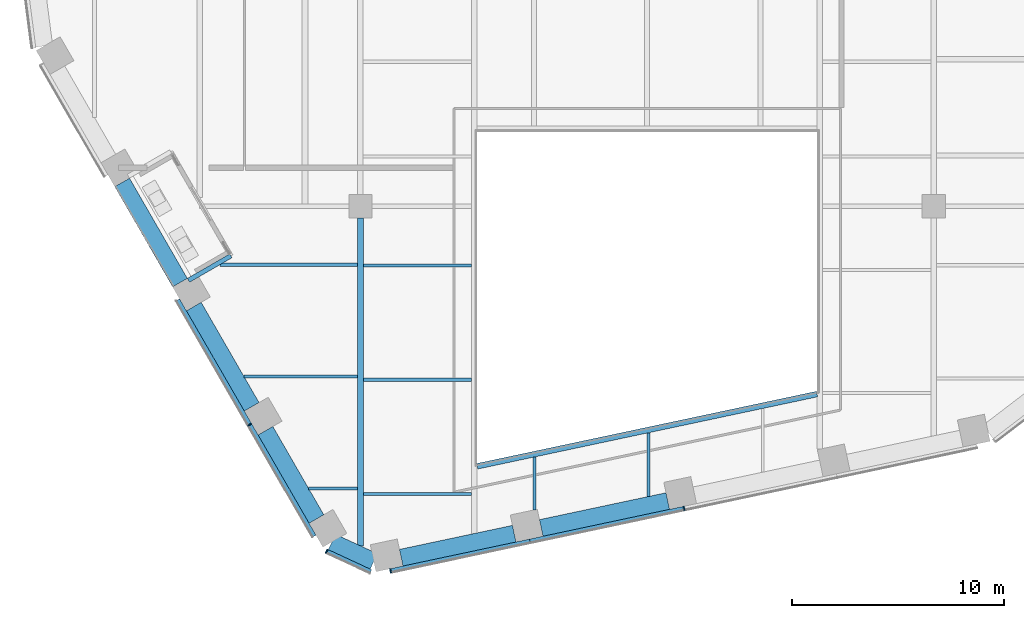
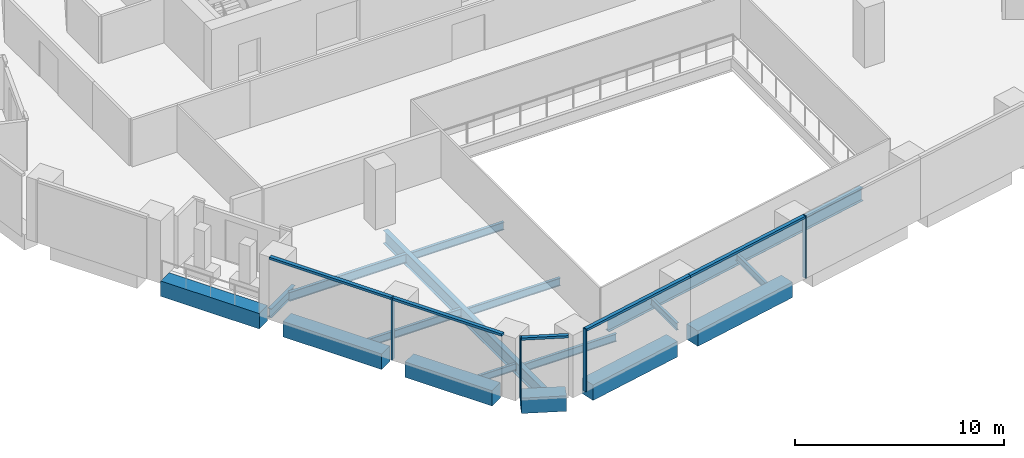
# One storey, part 2 of 25: 17 beams, 9 members, 3 elements without a shape of their own.
"""IFC4 building model written with IfcOpenShell, lengths in metres."""

from ifc_helpers import new_model, si_unit, direction, frame, origin, origin_2d, place, context, subcontext, project, spatial, rectangle, i_section, extrude, material, layer, layer_set, material_profile, profile_set, type_object, element, aggregate, save


model = new_model("IFC4")

# Units and contexts
model_context = context("Model", 3, precision=1e-05, world=origin(), true_north=direction((0.0, 1.0)))
body_context = subcontext(model_context, "Body", "Model", "MODEL_VIEW")
ifc_project = project(units=[si_unit("LENGTHUNIT", "METRE"), si_unit("AREAUNIT", "SQUARE_METRE"), si_unit("VOLUMEUNIT", "CUBIC_METRE"), si_unit("PLANEANGLEUNIT", "RADIAN"), si_unit("MASSUNIT", "GRAM", prefix="KILO")], contexts=[model_context])

# Site, building, storey
site_placement = place(None, origin())
site = spatial("IfcSite", under=ifc_project, at=site_placement, CompositionType="ELEMENT")
building_placement = place(site_placement, origin())
building = spatial("IfcBuilding", under=site, at=building_placement, Name="Isthmus Gate Tower", CompositionType="ELEMENT")
storey_placement = place(building_placement, frame((0.0, 0.0, 174.449951171875)))
storey = spatial("IfcBuildingStorey", under=building, at=storey_placement, Name="L43", CompositionType="ELEMENT", Elevation=174.449951171875)

# Curtain wall, member
ifc_material_1 = material(Name="Aluminium, pale champagne anodised", Category="aluminium")
ifc_layer = layer(ifc_material_1, 0.199951171875)
ifc_layer_set = layer_set([ifc_layer], Name="CW-1 UNITISED CURTAIN WALL 200 DEEP")
curtain_wall_type = type_object("IfcCurtainWallType", Name="CW-1 UNITISED CURTAIN WALL 200 DEEP", PredefinedType="NOTDEFINED", material=ifc_layer_set)
curtain_wall_1_placement = place(storey_placement, origin())
curtain_wall_1 = element("IfcCurtainWall", 1, at=curtain_wall_1_placement, inside=storey, type_object=curtain_wall_type, Name="CW-1 SW L43", PredefinedType="NOTDEFINED")
ifc_material_2 = material(Name="Aluminium, pale champagne anodised", Category="aluminium")
ifc_material_profile_1 = material_profile(ifc_material_2, rectangle(XDim=0.06005859375, YDim=0.199951171875, at=origin_2d()), Name="60x200")
ifc_profile_set_1 = profile_set([ifc_material_profile_1], Name="Aluminium, pale champagne anodised")
member_type_1 = type_object("IfcMemberType", Name="CW-1 MULLION 60 X 200", PredefinedType="MULLION", material=ifc_profile_set_1)
member_1_placement = place(storey_placement, frame((-18.71435546875, -23.78564453125, 0.0), z_axis=(0.0, 0.0, 1.0), x_axis=(0.5, -0.866025403784, 0.0)))
member_1 = element("IfcMember", 2, at=member_1_placement, type_object=member_type_1, Name="CW-1 mullion", PredefinedType="MULLION", context=body_context, shape_type="SweptSolid", body=[
    extrude(rectangle(XDim=0.06005859375, YDim=0.199951171875, at=origin_2d()), origin(), (0.0, 0.0, 1.0), 3.650146484375),
])

curtain_wall_2_placement = place(storey_placement, origin())
curtain_wall_2 = element("IfcCurtainWall", 3, at=curtain_wall_2_placement, inside=storey, type_object=curtain_wall_type, Name="CW-1 SW-S L43", PredefinedType="NOTDEFINED")
member_2_placement = place(storey_placement, frame((-15.091064453125, -29.74755859375, 0.0), z_axis=(0.0, 0.0, 1.0), x_axis=(0.907256261367, -0.420578264073, 0.0)))
member_2 = element("IfcMember", 4, at=member_2_placement, type_object=member_type_1, Name="CW-1 mullion", PredefinedType="MULLION", context=body_context, shape_type="SweptSolid", body=[
    extrude(rectangle(XDim=0.06005859375, YDim=0.199951171875, at=origin_2d()), origin(), (0.0, 0.0, 1.0), 3.650146484375),
])

# Curtain wall, members
curtain_wall_3_placement = place(storey_placement, origin())
curtain_wall_3 = element("IfcCurtainWall", 5, at=curtain_wall_3_placement, inside=storey, type_object=curtain_wall_type, Name="CW-1 S L43", PredefinedType="NOTDEFINED")
member_3_placement = place(storey_placement, frame((-12.082763671875, -30.67041015625, 0.0), z_axis=(0.0, 0.0, 1.0), x_axis=(0.978147600734, 0.207911690818, 0.0)))
member_3 = element("IfcMember", 6, at=member_3_placement, type_object=member_type_1, Name="CW-1 mullion", PredefinedType="MULLION", context=body_context, shape_type="SweptSolid", body=[
    extrude(rectangle(XDim=0.06005859375, YDim=0.199951171875, at=origin_2d()), origin(), (0.0, 0.0, 1.0), 3.650146484375),
])
member_4_placement = place(storey_placement, frame((1.740234375, -27.732421875, 0.0), z_axis=(0.0, 0.0, 1.0), x_axis=(0.978147600734, 0.207911690818, 0.0)))
member_4 = element("IfcMember", 7, at=member_4_placement, type_object=member_type_1, Name="CW-1 mullion", PredefinedType="MULLION", context=body_context, shape_type="SweptSolid", body=[
    extrude(rectangle(XDim=0.06005859375, YDim=0.199951171875, at=origin_2d()), origin(), (0.0, 0.0, 1.0), 3.650146484375),
])

# Member
ifc_material_3 = material(Name="Aluminium, pale champagne anodised", Category="aluminium")
ifc_material_profile_2 = material_profile(ifc_material_3, rectangle(XDim=0.199951171875, YDim=0.139892578125, at=origin_2d()), Name="200x140")
ifc_profile_set_2 = profile_set([ifc_material_profile_2], Name="Aluminium, pale champagne anodised")
member_type_2 = type_object("IfcMemberType", Name="CW-1 TRANSOM 200 X 140", PredefinedType="USERDEFINED", material=ifc_profile_set_2)
member_5_placement = place(storey_placement, frame((-22.1044921875, -17.9140625, 3.580078125), z_axis=(0.499997969693, -0.866026575979, 0.0), x_axis=(0.866026575979, 0.499997969693, 0.0)))
member_5 = element("IfcMember", 8, at=member_5_placement, type_object=member_type_2, Name="CW-1 transom", ObjectType="TRANSOM", PredefinedType="USERDEFINED", context=body_context, shape_type="SweptSolid", body=[
    extrude(rectangle(XDim=0.199951171875, YDim=0.139892578125, at=origin_2d()), origin(), (0.0, 0.0, 1.0), 6.75),
])

member_6_placement = place(storey_placement, frame((-18.699462890625, -23.811767578125, 3.580078125), z_axis=(0.499990697366, -0.866030774596, 0.0), x_axis=(0.866030774596, 0.499990697366, 0.0)))
member_6 = element("IfcMember", 9, at=member_6_placement, type_object=member_type_2, Name="CW-1 transom", ObjectType="TRANSOM", PredefinedType="USERDEFINED", context=body_context, shape_type="SweptSolid", body=[
    extrude(rectangle(XDim=0.199951171875, YDim=0.139892578125, at=origin_2d()), origin(), (0.0, 0.0, 1.0), 6.0400390625),
])

aggregate(curtain_wall_1, [member_5, member_1, member_6])

member_7_placement = place(storey_placement, frame((-15.06396484375, -29.76025390625, 3.580078125), z_axis=(0.907246225564, -0.420599912268, 0.0), x_axis=(0.420599912268, 0.907246225564, 0.0)))
member_7 = element("IfcMember", 10, at=member_7_placement, type_object=member_type_2, Name="CW-1 transom", ObjectType="TRANSOM", PredefinedType="USERDEFINED", context=body_context, shape_type="SweptSolid", body=[
    extrude(rectangle(XDim=0.199951171875, YDim=0.139892578125, at=origin_2d()), origin(), (0.0, 0.0, 1.0), 2.258544921875),
])

aggregate(curtain_wall_2, [member_2, member_7])

member_8_placement = place(storey_placement, frame((-12.05322265625, -30.664306640625, 3.580078125), z_axis=(0.97814231579, 0.207936552972, 0.0), x_axis=(-0.207936552972, 0.97814231579, 0.0)))
member_8 = element("IfcMember", 11, at=member_8_placement, type_object=member_type_2, Name="CW-1 transom", ObjectType="TRANSOM", PredefinedType="USERDEFINED", context=body_context, shape_type="SweptSolid", body=[
    extrude(rectangle(XDim=0.199951171875, YDim=0.139892578125, at=origin_2d()), origin(), (0.0, 0.0, 1.0), 6.6806640625),
])

member_9_placement = place(storey_placement, frame((-5.5185546875, -29.275146484375, 3.580078125), z_axis=(0.978147683684, 0.207911300568, 0.0), x_axis=(-0.207911300568, 0.978147683684, 0.0)))
member_9 = element("IfcMember", 12, at=member_9_placement, type_object=member_type_2, Name="CW-1 transom", ObjectType="TRANSOM", PredefinedType="USERDEFINED", context=body_context, shape_type="SweptSolid", body=[
    extrude(rectangle(XDim=0.199951171875, YDim=0.139892578125, at=origin_2d()), origin(), (0.0, 0.0, 1.0), 7.390869140625),
])

aggregate(curtain_wall_3, [member_3, member_8, member_9, member_4])

# Beams
ifc_material_4 = material(Name="Concrete f'c 60 MPa", Category="concrete")
ifc_material_profile_3 = material_profile(ifc_material_4, rectangle(XDim=0.800048828125, YDim=0.89990234375, at=origin_2d()), Name="RC 800X900")
ifc_profile_set_3 = profile_set([ifc_material_profile_3], Name="Concrete f'c 60 MPa")
beam_type_1 = type_object("IfcBeamType", Name="RC SPANDREL 800 X 900", PredefinedType="SPANDREL", material=ifc_profile_set_3)
beam_1_placement = place(storey_placement, frame((0.970947265625, -27.384765625, -0.449951171875), z_axis=(-0.978146012851, -0.207919161079, 0.0), x_axis=(0.207919161079, -0.978146012851, 0.0)))
element("IfcBeam", 13, at=beam_1_placement, inside=storey, type_object=beam_type_1, Name="str-spandrel-L43-13", PredefinedType="SPANDREL", context=body_context, shape_type="SweptSolid", body=[
    extrude(rectangle(XDim=0.800048828125, YDim=0.89990234375, at=origin_2d()), origin(), (0.0, 0.0, 1.0), 6.090576171875),
])
beam_2_placement = place(storey_placement, frame((-6.25830078125, -28.92138671875, -0.449951171875), z_axis=(-0.978150410773, -0.207898470186, 0.0), x_axis=(0.207898470186, -0.978150410773, 0.0)))
element("IfcBeam", 14, at=beam_2_placement, inside=storey, type_object=beam_type_1, Name="str-spandrel-L43-14", PredefinedType="SPANDREL", context=body_context, shape_type="SweptSolid", body=[
    extrude(rectangle(XDim=0.800048828125, YDim=0.89990234375, at=origin_2d()), origin(), (0.0, 0.0, 1.0), 5.440673828125),
])
beam_3_placement = place(storey_placement, frame((-12.87255859375, -30.224853515625, -0.449951171875), z_axis=(-0.907290744498, 0.420503870314, 0.0), x_axis=(-0.420503870314, -0.907290744498, 0.0)))
element("IfcBeam", 15, at=beam_3_placement, inside=storey, type_object=beam_type_1, Name="str-spandrel-L43-15", PredefinedType="SPANDREL", context=body_context, shape_type="SweptSolid", body=[
    extrude(rectangle(XDim=0.800048828125, YDim=0.89990234375, at=origin_2d()), origin(), (0.0, 0.0, 1.0), 2.173095703125),
])
beam_4_placement = place(storey_placement, frame((-15.5712890625, -28.229736328125, -0.449951171875), z_axis=(-0.500017431331, 0.866015339567, 0.0), x_axis=(-0.866015339567, -0.500017431331, 0.0)))
element("IfcBeam", 16, at=beam_4_placement, inside=storey, type_object=beam_type_1, Name="str-spandrel-L43-16", PredefinedType="SPANDREL", context=body_context, shape_type="SweptSolid", body=[
    extrude(rectangle(XDim=0.800048828125, YDim=0.89990234375, at=origin_2d()), origin(), (0.0, 0.0, 1.0), 4.800048828125),
])
for number, where, z_axis, x_axis, name in (
    (17, (-18.621337890625, -22.94677734375, -0.449951171875), (-0.500002931134, 0.866023711487, 0.0), (-0.866023711487, -0.500002931134, 0.0), "str-spandrel-L43-17"),
    (18, (-21.996337890625, -17.10107421875, -0.449951171875), (-0.500002931134, 0.866023711487, 0.0), (-0.866023711487, -0.500002931134, 0.0), "str-spandrel-L43-18"),
):
    element("IfcBeam", number, at=place(storey_placement, frame(where, z_axis=z_axis, x_axis=x_axis)), inside=storey, type_object=beam_type_1, Name=name, PredefinedType="SPANDREL", context=body_context, shape_type="SweptSolid", body=[
        extrude(rectangle(XDim=0.800048828125, YDim=0.89990234375, at=origin_2d()), origin(), (0.0, 0.0, 1.0), 5.4501953125),
    ])
ifc_material_5 = material(Name="Structural steel ASTM A992 Gr 50", Category="steel")
ifc_material_profile_4 = material_profile(ifc_material_5, i_section(OverallWidth=0.1396484375, OverallDepth=0.4033203125, WebThickness=0.00634765625, FlangeThickness=0.010986328125, at=origin_2d()), Name="W16X31")
ifc_profile_set_4 = profile_set([ifc_material_profile_4], Name="Structural steel ASTM A992 Gr 50")
beam_type_2 = type_object("IfcBeamType", Name="STEEL FLOOR BEAM W16X31", PredefinedType="JOIST", material=ifc_profile_set_4)
beam_5_placement = place(storey_placement, frame((-15.937744140625, -26.795166015625, -0.3515625), z_axis=(1.0, 0.0, 0.0), x_axis=(0.0, 1.0, 0.0)))
element("IfcBeam", 19, at=beam_5_placement, inside=storey, type_object=beam_type_2, Name="str-beam-L43-04-00", PredefinedType="JOIST", context=body_context, shape_type="SweptSolid", body=[
    extrude(i_section(OverallWidth=0.1396484375, OverallDepth=0.4033203125, WebThickness=0.00634765625, FlangeThickness=0.010986328125, at=origin_2d()), origin(), (0.0, 0.0, 1.0), 2.304443359375),
])
beam_6_placement = place(storey_placement, frame((-5.311279296875, -27.7998046875, -0.3515625), z_axis=(0.0, 1.0, 0.0), x_axis=(-1.0, 0.0, 0.0)))
element("IfcBeam", 20, at=beam_6_placement, inside=storey, type_object=beam_type_2, Name="str-beam-L43-10-00", PredefinedType="JOIST", context=body_context, shape_type="SweptSolid", body=[
    extrude(i_section(OverallWidth=0.1396484375, OverallDepth=0.4033203125, WebThickness=0.00634765625, FlangeThickness=0.010986328125, at=origin_2d()), origin(), (0.0, 0.0, 1.0), 2.487548828125),
])
beam_7_placement = place(storey_placement, frame((0.06591796875, -27.168212890625, -0.3515625), z_axis=(0.0, 1.0, 0.0), x_axis=(-1.0, 0.0, 0.0)))
element("IfcBeam", 21, at=beam_7_placement, inside=storey, type_object=beam_type_2, Name="str-beam-L43-10-01", PredefinedType="JOIST", context=body_context, shape_type="SweptSolid", body=[
    extrude(i_section(OverallWidth=0.1396484375, OverallDepth=0.4033203125, WebThickness=0.00634765625, FlangeThickness=0.010986328125, at=origin_2d()), origin(), (0.0, 0.0, 1.0), 2.9990234375),
])
ifc_material_6 = material(Name="Structural steel ASTM A992 Gr 50", Category="steel")
ifc_material_profile_5 = material_profile(ifc_material_6, i_section(OverallWidth=0.15234375, OverallDepth=0.45068359375, WebThickness=0.0078125, FlangeThickness=0.010986328125, at=origin_2d()), Name="W18X35")
ifc_profile_set_5 = profile_set([ifc_material_profile_5], Name="Structural steel ASTM A992 Gr 50")
beam_type_3 = type_object("IfcBeamType", Name="STEEL FLOOR BEAM W18X35", PredefinedType="JOIST", material=ifc_profile_set_5)
beam_8_placement = place(storey_placement, frame((-18.981689453125, -21.52294921875, -0.375244140625), z_axis=(1.0, 0.0, 0.0), x_axis=(0.0, 1.0, 0.0)))
element("IfcBeam", 22, at=beam_8_placement, inside=storey, type_object=beam_type_3, Name="str-beam-L43-04-01", PredefinedType="JOIST", context=body_context, shape_type="SweptSolid", body=[
    extrude(i_section(OverallWidth=0.15234375, OverallDepth=0.45068359375, WebThickness=0.0078125, FlangeThickness=0.010986328125, at=origin_2d()), origin(), (0.0, 0.0, 1.0), 5.348388671875),
])
for number, where, z_axis, x_axis, name in (
    (23, (-13.36669921875, -27.04736328125, -0.375244140625), (1.0, 0.0, 0.0), (0.0, 1.0, 0.0), "str-beam-L43-05-00"),
    (24, (-13.36669921875, -21.67041015625, -0.375244140625), (1.0, 0.0, 0.0), (0.0, 1.0, 0.0), "str-beam-L43-05-01"),
    (25, (-13.36669921875, -16.293212890625, -0.375244140625), (1.0, 0.0, 0.0), (0.0, 1.0, 0.0), "str-beam-L43-05-02"),
):
    element("IfcBeam", number, at=place(storey_placement, frame(where, z_axis=z_axis, x_axis=x_axis)), inside=storey, type_object=beam_type_3, Name=name, PredefinedType="JOIST", context=body_context, shape_type="SweptSolid", body=[
        extrude(i_section(OverallWidth=0.15234375, OverallDepth=0.45068359375, WebThickness=0.0078125, FlangeThickness=0.010986328125, at=origin_2d()), origin(), (0.0, 0.0, 1.0), 5.10009765625),
    ])
ifc_material_7 = material(Name="Structural steel ASTM A992 Gr 50", Category="steel")
ifc_material_profile_6 = material_profile(ifc_material_7, i_section(OverallWidth=0.1650390625, OverallDepth=0.52392578125, WebThickness=0.009521484375, FlangeThickness=0.010986328125, at=origin_2d()), Name="W21X44")
ifc_profile_set_6 = profile_set([ifc_material_profile_6], Name="Structural steel ASTM A992 Gr 50")
beam_type_4 = type_object("IfcBeamType", Name="STEEL FLOOR BEAM W21X44", PredefinedType="JOIST", material=ifc_profile_set_6)
beam_9_placement = place(storey_placement, frame((-20.104248046875, -16.25048828125, -0.411865234375), z_axis=(1.0, 0.0, 0.0), x_axis=(0.0, 1.0, 0.0)))
element("IfcBeam", 26, at=beam_9_placement, inside=storey, type_object=beam_type_4, Name="str-beam-L43-04-02", PredefinedType="JOIST", context=body_context, shape_type="SweptSolid", body=[
    extrude(i_section(OverallWidth=0.1650390625, OverallDepth=0.52392578125, WebThickness=0.009521484375, FlangeThickness=0.010986328125, at=origin_2d()), origin(), (0.0, 0.0, 1.0), 6.470947265625),
])
ifc_material_8 = material(Name="Structural steel ASTM A992 Gr 50", Category="steel")
ifc_material_profile_7 = material_profile(ifc_material_8, i_section(OverallWidth=0.2666015625, OverallDepth=0.7587890625, WebThickness=0.014404296875, FlangeThickness=0.01904296875, at=origin_2d()), Name="W30X108")
ifc_profile_set_7 = profile_set([ifc_material_profile_7], Name="Structural steel ASTM A992 Gr 50")
beam_type_5 = type_object("IfcBeamType", Name="STEEL GIRDER W30X108", PredefinedType="BEAM", material=ifc_profile_set_7)
beam_10_placement = place(storey_placement, frame((-13.5, -29.4931640625, -0.529296875), z_axis=(0.0, 1.0, 0.0), x_axis=(-1.0, 0.0, 0.0)))
element("IfcBeam", 27, at=beam_10_placement, inside=storey, type_object=beam_type_5, Name="str-girder-L43-07", PredefinedType="BEAM", context=body_context, shape_type="SweptSolid", body=[
    extrude(i_section(OverallWidth=0.2666015625, OverallDepth=0.7587890625, WebThickness=0.014404296875, FlangeThickness=0.01904296875, at=origin_2d()), origin(), (0.0, 0.0, 1.0), 15.443115234375),
])
ifc_material_9 = material(Name="Structural steel ASTM A992 Gr 50", Category="steel")
ifc_material_profile_8 = material_profile(ifc_material_9, i_section(OverallWidth=0.20947265625, OverallDepth=0.533447265625, WebThickness=0.009521484375, FlangeThickness=0.015869140625, at=origin_2d()), Name="W21X62")
ifc_profile_set_8 = profile_set([ifc_material_profile_8], Name="Structural steel ASTM A992 Gr 50")
beam_type_6 = type_object("IfcBeamType", Name="STEEL TRIMMER W21X62", PredefinedType="BEAM", material=ifc_profile_set_8)
beam_11_placement = place(storey_placement, frame((-21.59765625, -16.99169921875, -0.416748046875), z_axis=(0.866017993231, 0.500012835235, 0.0), x_axis=(-0.500012835235, 0.866017993231, 0.0)))
element("IfcBeam", 28, at=beam_11_placement, inside=storey, type_object=beam_type_6, Name="str-loggiatrim-L43-03-C", PredefinedType="BEAM", context=body_context, shape_type="SweptSolid", body=[
    extrude(i_section(OverallWidth=0.20947265625, OverallDepth=0.533447265625, WebThickness=0.009521484375, FlangeThickness=0.015869140625, at=origin_2d()), origin(), (0.0, 0.0, 1.0), 2.3046875),
])
ifc_material_10 = material(Name="Structural steel ASTM A992 Gr 50", Category="steel")
ifc_material_profile_9 = material_profile(ifc_material_10, i_section(OverallWidth=0.2666015625, OverallDepth=0.7587890625, WebThickness=0.014404296875, FlangeThickness=0.01904296875, at=origin_2d()), Name="W30X108")
ifc_profile_set_9 = profile_set([ifc_material_profile_9], Name="Structural steel ASTM A992 Gr 50")
beam_type_7 = type_object("IfcBeamType", Name="STEEL TRIMMER W30X108", PredefinedType="BEAM", material=ifc_profile_set_9)
beam_12_placement = place(storey_placement, frame((-8.0, -25.747314453125, -0.529296875), z_axis=(0.978147924985, 0.20791016533, 0.0), x_axis=(-0.20791016533, 0.978147924985, 0.0)))
element("IfcBeam", 29, at=beam_12_placement, inside=storey, type_object=beam_type_7, Name="str-trimmer-L43-03", PredefinedType="BEAM", context=body_context, shape_type="SweptSolid", body=[
    extrude(i_section(OverallWidth=0.2666015625, OverallDepth=0.7587890625, WebThickness=0.014404296875, FlangeThickness=0.01904296875, at=origin_2d()), origin(), (0.0, 0.0, 1.0), 16.357421875),
])

save(model, "model.ifc")
